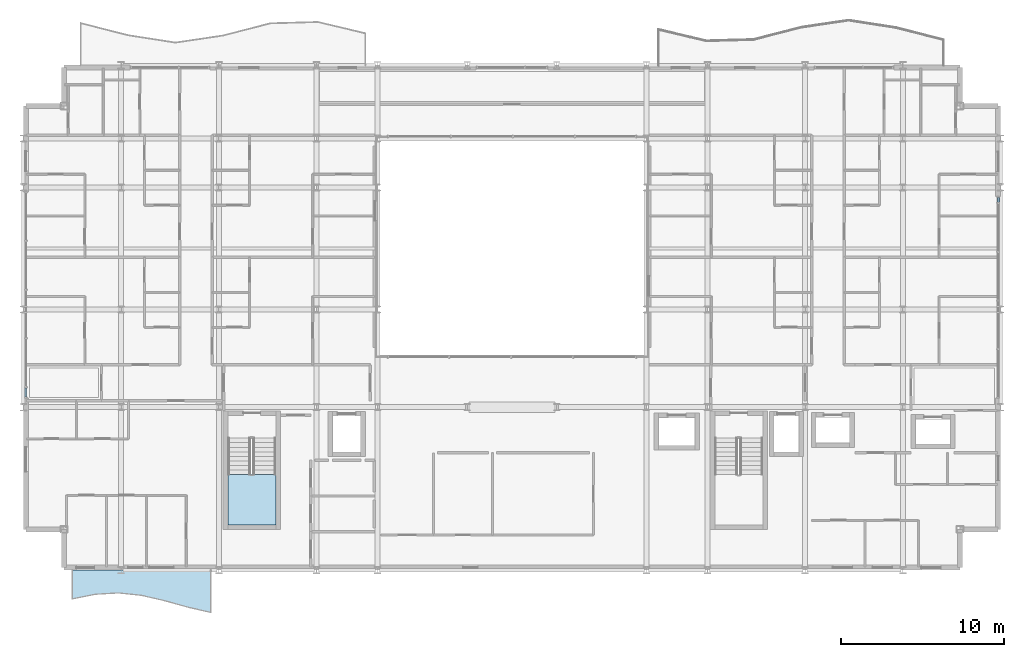
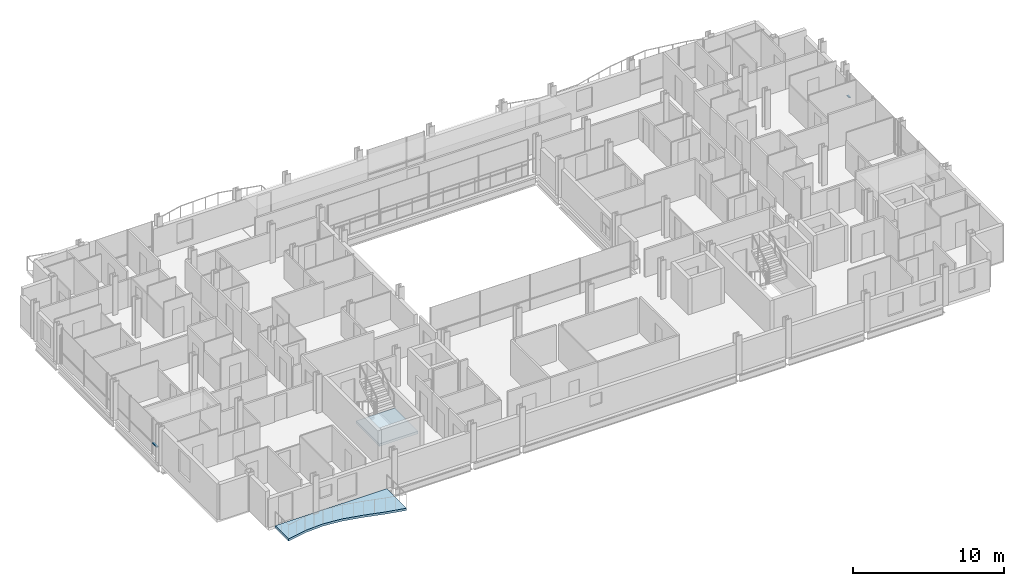
# One storey, part 25 of 40: 2 members, 2 slabs, 3 elements without a shape of their own.
"""IFC4 building model written with IfcOpenShell, lengths in metres."""

from ifc_helpers import new_model, si_unit, direction, frame, origin, origin_2d, place, context, subcontext, project, spatial, polyline, hollow_rectangle, outline, extrude, material, layer, layer_set, material_profile, profile_set, type_object, element, aggregate, save


model = new_model("IFC4")

# Units and contexts
model_context = context("Model", 3, precision=1e-05, world=origin(), true_north=direction((0.0, 1.0)))
body_context = subcontext(model_context, "Body", "Model", "MODEL_VIEW")
ifc_project = project(units=[si_unit("LENGTHUNIT", "METRE"), si_unit("AREAUNIT", "SQUARE_METRE"), si_unit("VOLUMEUNIT", "CUBIC_METRE"), si_unit("PLANEANGLEUNIT", "RADIAN"), si_unit("MASSUNIT", "GRAM", prefix="KILO")], contexts=[model_context])

# Site, building, storey
site_placement = place(None, origin())
site = spatial("IfcSite", under=ifc_project, at=site_placement, CompositionType="ELEMENT")
building_placement = place(site_placement, origin())
building = spatial("IfcBuilding", under=site, at=building_placement, Name="Brevholm Reach", CompositionType="ELEMENT")
storey_placement = place(building_placement, frame((0.0, 0.0, 80.699951171875)))
storey = spatial("IfcBuildingStorey", under=building, at=storey_placement, Name="L23", CompositionType="ELEMENT", Elevation=80.699951171875)

# Curtain wall, member
ifc_material_1 = material(Name="Dark Anodised Aluminium 6063-T6 and Solar-Control Glass", Category="aluminium")
ifc_layer_1 = layer(ifc_material_1, 0.14990234375)
ifc_layer_set_1 = layer_set([ifc_layer_1], Name="Dark Anodised Aluminium 6063-T6 and Solar-Control Glass")
curtain_wall_type = type_object("IfcCurtainWallType", Name="CW-01", PredefinedType="NOTDEFINED", material=ifc_layer_set_1)
curtain_wall_1_placement = place(storey_placement, origin())
curtain_wall_1 = element("IfcCurtainWall", 1, at=curtain_wall_1_placement, inside=storey, type_object=curtain_wall_type, Name="L23 Curtain Wall CW-01", PredefinedType="NOTDEFINED")
ifc_material_2 = material(Name="Dark Anodised Aluminium 6063-T6", Category="aluminium")
ifc_material_profile = material_profile(ifc_material_2, hollow_rectangle(XDim=0.06494140625, YDim=0.14990234375, WallThickness=0.0048828125, InnerFilletRadius=0.0048828125, OuterFilletRadius=0.010009765625, at=origin_2d()), Name="RHS 150x65x5")
ifc_profile_set = profile_set([ifc_material_profile], Name="Dark Anodised Aluminium 6063-T6")
member_type = type_object("IfcMemberType", Name="CWT-150", PredefinedType="NOTDEFINED", material=ifc_profile_set)
member_1_placement = place(storey_placement, frame((0.14990234375, 11.1875, 0.900146484375), z_axis=(0.0, -1.0, 0.0), x_axis=(0.0, 0.0, 1.0)))
member_1 = element("IfcMember", 2, at=member_1_placement, type_object=member_type, Name="CT-150 Transom 5.1", ObjectType="TRANSOM", PredefinedType="USERDEFINED", context=body_context, shape_type="SweptSolid", body=[
    extrude(hollow_rectangle(XDim=0.06494140625, YDim=0.14990234375, WallThickness=0.0048828125, InnerFilletRadius=0.0048828125, OuterFilletRadius=0.010009765625, at=origin_2d()), origin(), (0.0, 0.0, 1.0), 0.572509765625),
])
aggregate(curtain_wall_1, [member_1])

curtain_wall_2_placement = place(storey_placement, origin())
curtain_wall_2 = element("IfcCurtainWall", 3, at=curtain_wall_2_placement, inside=storey, type_object=curtain_wall_type, Name="L23 Curtain Wall CW-01", PredefinedType="NOTDEFINED")
member_2_placement = place(storey_placement, frame((59.85009765625, 22.58251953125, 0.900146484375), z_axis=(0.0, 1.0, 0.0), x_axis=(0.0, 0.0, 1.0)))
member_2 = element("IfcMember", 4, at=member_2_placement, type_object=member_type, Name="CT-150 Transom 5.1", ObjectType="TRANSOM", PredefinedType="USERDEFINED", context=body_context, shape_type="SweptSolid", body=[
    extrude(hollow_rectangle(XDim=0.06494140625, YDim=0.14990234375, WallThickness=0.0048828125, InnerFilletRadius=0.0048828125, OuterFilletRadius=0.010009765625, at=origin_2d()), origin(), (0.0, 0.0, 1.0), 0.302490234375),
])
aggregate(curtain_wall_2, [member_2])

# Slab
ifc_material_3 = material(Name="Precast Concrete C40/50", Category="concrete")
ifc_layer_2 = layer(ifc_material_3, 0.179931640625)
ifc_layer_set_2 = layer_set([ifc_layer_2], Name="Precast Concrete C40/50")
slab_type_1 = type_object("IfcSlabType", Name="SLB-BAL-180", PredefinedType="FLOOR", material=ifc_layer_set_2)
slab_1_placement = place(storey_placement, frame((0.0, 0.0, -0.179931640625)))
element("IfcSlab", 5, at=slab_1_placement, inside=storey, type_object=slab_type_1, Name="L23 Rippling External Balcony SW", PredefinedType="FLOOR", context=body_context, shape_type="SweptSolid", body=[
    extrude(outline(polyline([(3.0, -1.7685546875), (4.416748046875, -1.484619140625), (5.833251953125, -1.402587890625), (7.25, -1.55029296875), (8.666748046875, -1.877685546875), (10.083251953125, -2.2724609375), (11.5, -2.599609375), (11.5, 0.0), (3.0, 0.0), (3.0, -1.7685546875)])), origin(), (0.0, 0.0, 1.0), 0.179931640625),
])

# Stair, slab
ifc_material_4 = material(Name="Precast Concrete C40/50", Category="concrete")
stair_type = type_object("IfcStairType", Name="STR-ESC-1400", PredefinedType="DOUBLE_RETURN_STAIR", material=ifc_material_4)
stair_placement = place(storey_placement, origin())
stair = element("IfcStair", 6, at=stair_placement, inside=storey, type_object=stair_type, Name="L23 ST-1", PredefinedType="DOUBLE_RETURN_STAIR")
ifc_material_5 = material(Name="Concrete C40/50", Category="concrete")
ifc_layer_3 = layer(ifc_material_5, 0.199951171875)
ifc_layer_set_3 = layer_set([ifc_layer_3], Name="Concrete C40/50")
slab_type_2 = type_object("IfcSlabType", Name="SLB-LND-200", PredefinedType="LANDING", material=ifc_layer_set_3)
slab_2_placement = place(storey_placement, frame((0.0, 0.0, 1.35009765625)))
slab_2 = element("IfcSlab", 7, at=slab_2_placement, type_object=slab_type_2, Name="ST-1 landing 1", PredefinedType="LANDING", context=body_context, shape_type="SweptSolid", body=[
    extrude(outline(polyline([(12.550048828125, 5.860107421875), (12.550048828125, 2.780029296875), (15.5, 2.780029296875), (15.5, 5.860107421875), (12.550048828125, 5.860107421875)])), origin(), (0.0, 0.0, 1.0), 0.199951171875),
])
aggregate(stair, [slab_2])

save(model, "model.ifc")
